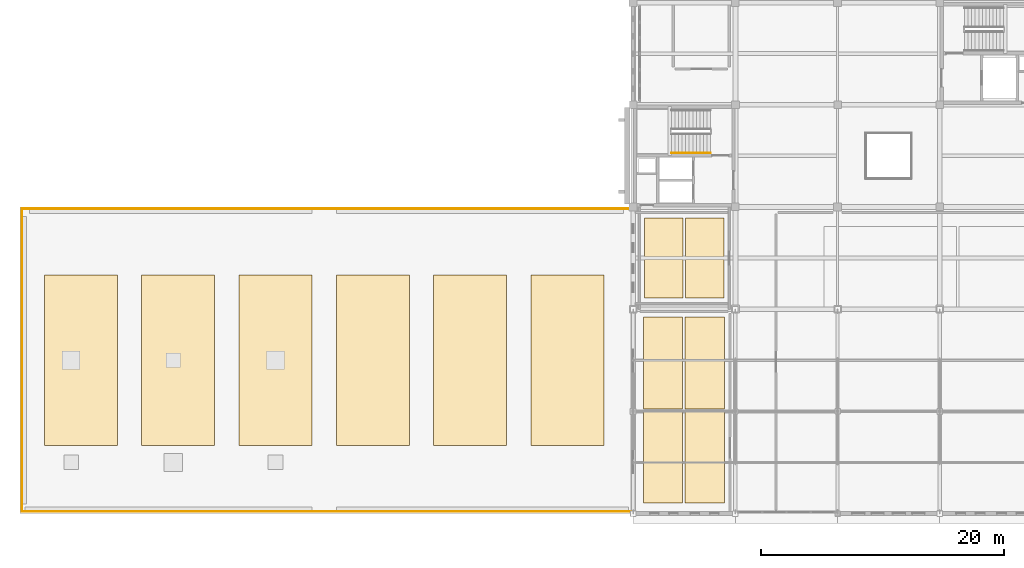
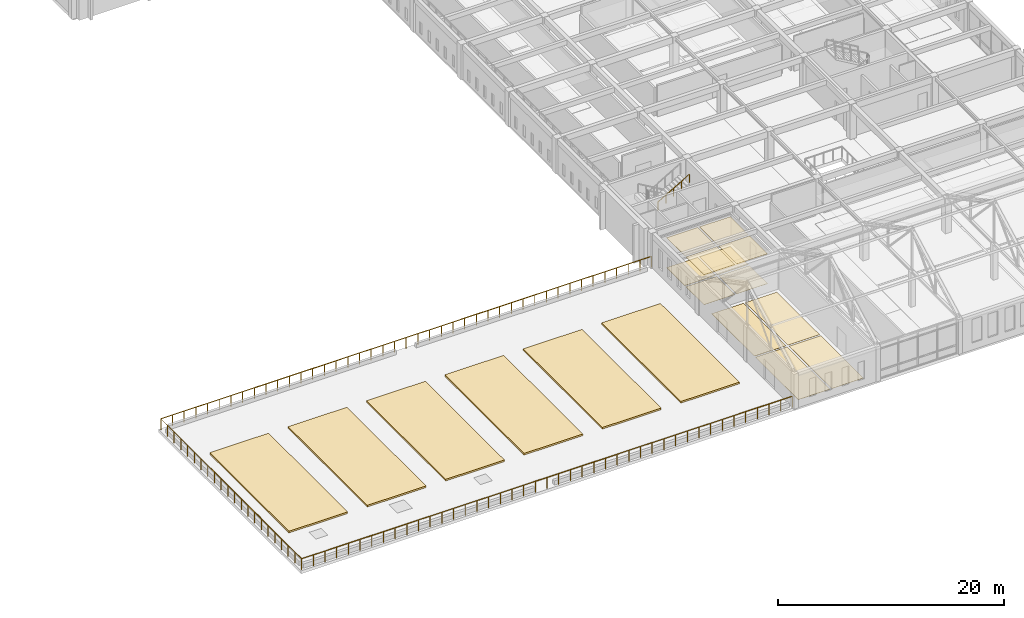
# One storey, part 41 of 47: 18 coverings, 6 railings.
"""IFC4 building model written with IfcOpenShell, lengths in metres."""

from ifc_helpers import new_model, si_unit, direction, frame, origin, origin_2d, place, context, subcontext, project, spatial, rectangle, circle, extrude, material, layer, layer_set, type_object, element, save


model = new_model("IFC4")

# Units and contexts
model_context = context("Model", 3, precision=1e-05, world=origin(), true_north=direction((0.0, 1.0)))
body_context = subcontext(model_context, "Body", "Model", "MODEL_VIEW")
ifc_project = project(units=[si_unit("LENGTHUNIT", "METRE"), si_unit("AREAUNIT", "SQUARE_METRE"), si_unit("VOLUMEUNIT", "CUBIC_METRE"), si_unit("PLANEANGLEUNIT", "RADIAN"), si_unit("MASSUNIT", "GRAM", prefix="KILO")], contexts=[model_context])

# Site, building, storey
site_placement = place(None, origin())
site = spatial("IfcSite", under=ifc_project, at=site_placement, CompositionType="ELEMENT")
building_placement = place(site_placement, origin())
building = spatial("IfcBuilding", under=site, at=building_placement, Name="Kveldsbrygga Polytechnic", CompositionType="ELEMENT")
storey_placement = place(building_placement, frame((0.0, 0.0, 13.93994140625)))
storey = spatial("IfcBuildingStorey", under=building, at=storey_placement, Name="L03", CompositionType="ELEMENT", Elevation=13.93994140625)

# Railings
ifc_material_1 = material(Name="Iddefjord granite ashlar", Category="masonry")
railing_type_1 = type_object("IfcRailingType", Name="BAL-TERRACE-120", PredefinedType="BALUSTRADE", material=ifc_material_1)
railing_1_placement = place(storey_placement, frame((75.75, 0.14990234375, 0.0)))
element("IfcRailing", 1, at=railing_1_placement, inside=storey, type_object=railing_type_1, Name="Public Terrace Balustrade BAL-L03-S1", PredefinedType="BALUSTRADE", context=body_context, shape_type="SweptSolid", body=[
    extrude(circle(Radius=0.02392578125, at=origin_2d()), frame((0.0, 0.0, 1.17578125), z_axis=(1.0, 0.0, 0.0), x_axis=(0.0, 1.0, 0.0)), (0.0, 0.0, 1.0), 25.050048828125),
    extrude(circle(Radius=0.02099609375, at=origin_2d()), origin(), (0.0, 0.0, 1.0), 1.14794921875),
    extrude(circle(Radius=0.02099609375, at=origin_2d()), frame((1.19287109375, 0.0, 0.0)), (0.0, 0.0, 1.0), 1.14794921875),
    extrude(circle(Radius=0.02099609375, at=origin_2d()), frame((2.3857421875, 0.0, 0.0)), (0.0, 0.0, 1.0), 1.14794921875),
    extrude(circle(Radius=0.02099609375, at=origin_2d()), frame((3.57861328125, 0.0, 0.0)), (0.0, 0.0, 1.0), 1.14794921875),
    extrude(circle(Radius=0.02099609375, at=origin_2d()), frame((4.771484375, 0.0, 0.0)), (0.0, 0.0, 1.0), 1.14794921875),
    extrude(circle(Radius=0.02099609375, at=origin_2d()), frame((5.96435546875, 0.0, 0.0)), (0.0, 0.0, 1.0), 1.14794921875),
    extrude(circle(Radius=0.02099609375, at=origin_2d()), frame((7.1572265625, 0.0, 0.0)), (0.0, 0.0, 1.0), 1.14794921875),
    extrude(circle(Radius=0.02099609375, at=origin_2d()), frame((8.35009765625, 0.0, 0.0)), (0.0, 0.0, 1.0), 1.14794921875),
    extrude(circle(Radius=0.02099609375, at=origin_2d()), frame((9.54296875, 0.0, 0.0)), (0.0, 0.0, 1.0), 1.14794921875),
    extrude(circle(Radius=0.02099609375, at=origin_2d()), frame((10.73583984375, 0.0, 0.0)), (0.0, 0.0, 1.0), 1.14794921875),
    extrude(circle(Radius=0.02099609375, at=origin_2d()), frame((11.9287109375, 0.0, 0.0)), (0.0, 0.0, 1.0), 1.14794921875),
    extrude(circle(Radius=0.02099609375, at=origin_2d()), frame((13.121337890625, 0.0, 0.0)), (0.0, 0.0, 1.0), 1.14794921875),
    extrude(circle(Radius=0.02099609375, at=origin_2d()), frame((14.314208984375, 0.0, 0.0)), (0.0, 0.0, 1.0), 1.14794921875),
    extrude(circle(Radius=0.02099609375, at=origin_2d()), frame((15.507080078125, 0.0, 0.0)), (0.0, 0.0, 1.0), 1.14794921875),
    extrude(circle(Radius=0.02099609375, at=origin_2d()), frame((16.699951171875, 0.0, 0.0)), (0.0, 0.0, 1.0), 1.14794921875),
    extrude(circle(Radius=0.02099609375, at=origin_2d()), frame((17.892822265625, 0.0, 0.0)), (0.0, 0.0, 1.0), 1.14794921875),
    extrude(circle(Radius=0.02099609375, at=origin_2d()), frame((19.085693359375, 0.0, 0.0)), (0.0, 0.0, 1.0), 1.14794921875),
    extrude(circle(Radius=0.02099609375, at=origin_2d()), frame((20.278564453125, 0.0, 0.0)), (0.0, 0.0, 1.0), 1.14794921875),
    extrude(circle(Radius=0.02099609375, at=origin_2d()), frame((21.471435546875, 0.0, 0.0)), (0.0, 0.0, 1.0), 1.14794921875),
    extrude(circle(Radius=0.02099609375, at=origin_2d()), frame((22.664306640625, 0.0, 0.0)), (0.0, 0.0, 1.0), 1.14794921875),
    extrude(circle(Radius=0.02099609375, at=origin_2d()), frame((23.857177734375, 0.0, 0.0)), (0.0, 0.0, 1.0), 1.14794921875),
    extrude(circle(Radius=0.02099609375, at=origin_2d()), frame((25.050048828125, 0.0, 0.0)), (0.0, 0.0, 1.0), 1.14794921875),
])
railing_2_placement = place(storey_placement, frame((100.800048828125, 0.14990234375, 0.0)))
element("IfcRailing", 2, at=railing_2_placement, inside=storey, type_object=railing_type_1, Name="Public Terrace Balustrade BAL-L03-S2", PredefinedType="BALUSTRADE", context=body_context, shape_type="SweptSolid", body=[
    extrude(circle(Radius=0.02392578125, at=origin_2d()), frame((0.0, 0.0, 1.17578125), z_axis=(1.0, 0.0, 0.0), x_axis=(0.0, 1.0, 0.0)), (0.0, 0.0, 1.0), 25.050048828125),
    extrude(circle(Radius=0.02099609375, at=origin_2d()), origin(), (0.0, 0.0, 1.0), 1.14794921875),
    extrude(circle(Radius=0.02099609375, at=origin_2d()), frame((1.19287109375, 0.0, 0.0)), (0.0, 0.0, 1.0), 1.14794921875),
    extrude(circle(Radius=0.02099609375, at=origin_2d()), frame((2.3857421875, 0.0, 0.0)), (0.0, 0.0, 1.0), 1.14794921875),
    extrude(circle(Radius=0.02099609375, at=origin_2d()), frame((3.57861328125, 0.0, 0.0)), (0.0, 0.0, 1.0), 1.14794921875),
    extrude(circle(Radius=0.02099609375, at=origin_2d()), frame((4.771484375, 0.0, 0.0)), (0.0, 0.0, 1.0), 1.14794921875),
    extrude(circle(Radius=0.02099609375, at=origin_2d()), frame((5.96435546875, 0.0, 0.0)), (0.0, 0.0, 1.0), 1.14794921875),
    extrude(circle(Radius=0.02099609375, at=origin_2d()), frame((7.1572265625, 0.0, 0.0)), (0.0, 0.0, 1.0), 1.14794921875),
    extrude(circle(Radius=0.02099609375, at=origin_2d()), frame((8.35009765625, 0.0, 0.0)), (0.0, 0.0, 1.0), 1.14794921875),
    extrude(circle(Radius=0.02099609375, at=origin_2d()), frame((9.54296875, 0.0, 0.0)), (0.0, 0.0, 1.0), 1.14794921875),
    extrude(circle(Radius=0.02099609375, at=origin_2d()), frame((10.73583984375, 0.0, 0.0)), (0.0, 0.0, 1.0), 1.14794921875),
    extrude(circle(Radius=0.02099609375, at=origin_2d()), frame((11.9287109375, 0.0, 0.0)), (0.0, 0.0, 1.0), 1.14794921875),
    extrude(circle(Radius=0.02099609375, at=origin_2d()), frame((13.121337890625, 0.0, 0.0)), (0.0, 0.0, 1.0), 1.14794921875),
    extrude(circle(Radius=0.02099609375, at=origin_2d()), frame((14.314208984375, 0.0, 0.0)), (0.0, 0.0, 1.0), 1.14794921875),
    extrude(circle(Radius=0.02099609375, at=origin_2d()), frame((15.507080078125, 0.0, 0.0)), (0.0, 0.0, 1.0), 1.14794921875),
    extrude(circle(Radius=0.02099609375, at=origin_2d()), frame((16.699951171875, 0.0, 0.0)), (0.0, 0.0, 1.0), 1.14794921875),
    extrude(circle(Radius=0.02099609375, at=origin_2d()), frame((17.892822265625, 0.0, 0.0)), (0.0, 0.0, 1.0), 1.14794921875),
    extrude(circle(Radius=0.02099609375, at=origin_2d()), frame((19.085693359375, 0.0, 0.0)), (0.0, 0.0, 1.0), 1.14794921875),
    extrude(circle(Radius=0.02099609375, at=origin_2d()), frame((20.278564453125, 0.0, 0.0)), (0.0, 0.0, 1.0), 1.14794921875),
    extrude(circle(Radius=0.02099609375, at=origin_2d()), frame((21.471435546875, 0.0, 0.0)), (0.0, 0.0, 1.0), 1.14794921875),
    extrude(circle(Radius=0.02099609375, at=origin_2d()), frame((22.664306640625, 0.0, 0.0)), (0.0, 0.0, 1.0), 1.14794921875),
    extrude(circle(Radius=0.02099609375, at=origin_2d()), frame((23.857177734375, 0.0, 0.0)), (0.0, 0.0, 1.0), 1.14794921875),
    extrude(circle(Radius=0.02099609375, at=origin_2d()), frame((25.050048828125, 0.0, 0.0)), (0.0, 0.0, 1.0), 1.14794921875),
])
railing_3_placement = place(storey_placement, frame((75.75, 0.14990234375, 0.0)))
element("IfcRailing", 3, at=railing_3_placement, inside=storey, type_object=railing_type_1, Name="Public Terrace Balustrade BAL-L03-W1", PredefinedType="BALUSTRADE", context=body_context, shape_type="SweptSolid", body=[
    extrude(circle(Radius=0.02392578125, at=origin_2d()), frame((0.0, 0.0, 1.17578125), z_axis=(0.0, 1.0, 0.0), x_axis=(-1.0, 0.0, 0.0)), (0.0, 0.0, 1.0), 24.900146484375),
    extrude(circle(Radius=0.02099609375, at=origin_2d()), origin(), (0.0, 0.0, 1.0), 1.14794921875),
    extrude(circle(Radius=0.02099609375, at=origin_2d()), frame((0.0, 1.185791015625, 0.0)), (0.0, 0.0, 1.0), 1.14794921875),
    extrude(circle(Radius=0.02099609375, at=origin_2d()), frame((0.0, 2.371337890625, 0.0)), (0.0, 0.0, 1.0), 1.14794921875),
    extrude(circle(Radius=0.02099609375, at=origin_2d()), frame((0.0, 3.55712890625, 0.0)), (0.0, 0.0, 1.0), 1.14794921875),
    extrude(circle(Radius=0.02099609375, at=origin_2d()), frame((0.0, 4.742919921875, 0.0)), (0.0, 0.0, 1.0), 1.14794921875),
    extrude(circle(Radius=0.02099609375, at=origin_2d()), frame((0.0, 5.9287109375, 0.0)), (0.0, 0.0, 1.0), 1.14794921875),
    extrude(circle(Radius=0.02099609375, at=origin_2d()), frame((0.0, 7.1142578125, 0.0)), (0.0, 0.0, 1.0), 1.14794921875),
    extrude(circle(Radius=0.02099609375, at=origin_2d()), frame((0.0, 8.300048828125, 0.0)), (0.0, 0.0, 1.0), 1.14794921875),
    extrude(circle(Radius=0.02099609375, at=origin_2d()), frame((0.0, 9.48583984375, 0.0)), (0.0, 0.0, 1.0), 1.14794921875),
    extrude(circle(Radius=0.02099609375, at=origin_2d()), frame((0.0, 10.67138671875, 0.0)), (0.0, 0.0, 1.0), 1.14794921875),
    extrude(circle(Radius=0.02099609375, at=origin_2d()), frame((0.0, 11.857177734375, 0.0)), (0.0, 0.0, 1.0), 1.14794921875),
    extrude(circle(Radius=0.02099609375, at=origin_2d()), frame((0.0, 13.04296875, 0.0)), (0.0, 0.0, 1.0), 1.14794921875),
    extrude(circle(Radius=0.02099609375, at=origin_2d()), frame((0.0, 14.228759765625, 0.0)), (0.0, 0.0, 1.0), 1.14794921875),
    extrude(circle(Radius=0.02099609375, at=origin_2d()), frame((0.0, 15.414306640625, 0.0)), (0.0, 0.0, 1.0), 1.14794921875),
    extrude(circle(Radius=0.02099609375, at=origin_2d()), frame((0.0, 16.60009765625, 0.0)), (0.0, 0.0, 1.0), 1.14794921875),
    extrude(circle(Radius=0.02099609375, at=origin_2d()), frame((0.0, 17.785888671875, 0.0)), (0.0, 0.0, 1.0), 1.14794921875),
    extrude(circle(Radius=0.02099609375, at=origin_2d()), frame((0.0, 18.971435546875, 0.0)), (0.0, 0.0, 1.0), 1.14794921875),
    extrude(circle(Radius=0.02099609375, at=origin_2d()), frame((0.0, 20.1572265625, 0.0)), (0.0, 0.0, 1.0), 1.14794921875),
    extrude(circle(Radius=0.02099609375, at=origin_2d()), frame((0.0, 21.343017578125, 0.0)), (0.0, 0.0, 1.0), 1.14794921875),
    extrude(circle(Radius=0.02099609375, at=origin_2d()), frame((0.0, 22.52880859375, 0.0)), (0.0, 0.0, 1.0), 1.14794921875),
    extrude(circle(Radius=0.02099609375, at=origin_2d()), frame((0.0, 23.71435546875, 0.0)), (0.0, 0.0, 1.0), 1.14794921875),
    extrude(circle(Radius=0.02099609375, at=origin_2d()), frame((0.0, 24.900146484375, 0.0)), (0.0, 0.0, 1.0), 1.14794921875),
])
railing_4_placement = place(storey_placement, frame((75.75, 25.050048828125, 0.0)))
element("IfcRailing", 4, at=railing_4_placement, inside=storey, type_object=railing_type_1, Name="Public Terrace Balustrade BAL-L03-N1", PredefinedType="BALUSTRADE", context=body_context, shape_type="SweptSolid", body=[
    extrude(circle(Radius=0.02392578125, at=origin_2d()), frame((0.0, 0.0, 1.17578125), z_axis=(1.0, 0.0, 0.0), x_axis=(0.0, 1.0, 0.0)), (0.0, 0.0, 1.0), 25.050048828125),
    extrude(circle(Radius=0.02099609375, at=origin_2d()), origin(), (0.0, 0.0, 1.0), 1.14794921875),
    extrude(circle(Radius=0.02099609375, at=origin_2d()), frame((1.19287109375, 0.0, 0.0)), (0.0, 0.0, 1.0), 1.14794921875),
    extrude(circle(Radius=0.02099609375, at=origin_2d()), frame((2.3857421875, 0.0, 0.0)), (0.0, 0.0, 1.0), 1.14794921875),
    extrude(circle(Radius=0.02099609375, at=origin_2d()), frame((3.57861328125, 0.0, 0.0)), (0.0, 0.0, 1.0), 1.14794921875),
    extrude(circle(Radius=0.02099609375, at=origin_2d()), frame((4.771484375, 0.0, 0.0)), (0.0, 0.0, 1.0), 1.14794921875),
    extrude(circle(Radius=0.02099609375, at=origin_2d()), frame((5.96435546875, 0.0, 0.0)), (0.0, 0.0, 1.0), 1.14794921875),
    extrude(circle(Radius=0.02099609375, at=origin_2d()), frame((7.1572265625, 0.0, 0.0)), (0.0, 0.0, 1.0), 1.14794921875),
    extrude(circle(Radius=0.02099609375, at=origin_2d()), frame((8.35009765625, 0.0, 0.0)), (0.0, 0.0, 1.0), 1.14794921875),
    extrude(circle(Radius=0.02099609375, at=origin_2d()), frame((9.54296875, 0.0, 0.0)), (0.0, 0.0, 1.0), 1.14794921875),
    extrude(circle(Radius=0.02099609375, at=origin_2d()), frame((10.73583984375, 0.0, 0.0)), (0.0, 0.0, 1.0), 1.14794921875),
    extrude(circle(Radius=0.02099609375, at=origin_2d()), frame((11.9287109375, 0.0, 0.0)), (0.0, 0.0, 1.0), 1.14794921875),
    extrude(circle(Radius=0.02099609375, at=origin_2d()), frame((13.121337890625, 0.0, 0.0)), (0.0, 0.0, 1.0), 1.14794921875),
    extrude(circle(Radius=0.02099609375, at=origin_2d()), frame((14.314208984375, 0.0, 0.0)), (0.0, 0.0, 1.0), 1.14794921875),
    extrude(circle(Radius=0.02099609375, at=origin_2d()), frame((15.507080078125, 0.0, 0.0)), (0.0, 0.0, 1.0), 1.14794921875),
    extrude(circle(Radius=0.02099609375, at=origin_2d()), frame((16.699951171875, 0.0, 0.0)), (0.0, 0.0, 1.0), 1.14794921875),
    extrude(circle(Radius=0.02099609375, at=origin_2d()), frame((17.892822265625, 0.0, 0.0)), (0.0, 0.0, 1.0), 1.14794921875),
    extrude(circle(Radius=0.02099609375, at=origin_2d()), frame((19.085693359375, 0.0, 0.0)), (0.0, 0.0, 1.0), 1.14794921875),
    extrude(circle(Radius=0.02099609375, at=origin_2d()), frame((20.278564453125, 0.0, 0.0)), (0.0, 0.0, 1.0), 1.14794921875),
    extrude(circle(Radius=0.02099609375, at=origin_2d()), frame((21.471435546875, 0.0, 0.0)), (0.0, 0.0, 1.0), 1.14794921875),
    extrude(circle(Radius=0.02099609375, at=origin_2d()), frame((22.664306640625, 0.0, 0.0)), (0.0, 0.0, 1.0), 1.14794921875),
    extrude(circle(Radius=0.02099609375, at=origin_2d()), frame((23.857177734375, 0.0, 0.0)), (0.0, 0.0, 1.0), 1.14794921875),
    extrude(circle(Radius=0.02099609375, at=origin_2d()), frame((25.050048828125, 0.0, 0.0)), (0.0, 0.0, 1.0), 1.14794921875),
])
railing_5_placement = place(storey_placement, frame((100.800048828125, 25.050048828125, 0.0)))
element("IfcRailing", 5, at=railing_5_placement, inside=storey, type_object=railing_type_1, Name="Public Terrace Balustrade BAL-L03-N2", PredefinedType="BALUSTRADE", context=body_context, shape_type="SweptSolid", body=[
    extrude(circle(Radius=0.02392578125, at=origin_2d()), frame((0.0, 0.0, 1.17578125), z_axis=(1.0, 0.0, 0.0), x_axis=(0.0, 1.0, 0.0)), (0.0, 0.0, 1.0), 25.050048828125),
    extrude(circle(Radius=0.02099609375, at=origin_2d()), origin(), (0.0, 0.0, 1.0), 1.14794921875),
    extrude(circle(Radius=0.02099609375, at=origin_2d()), frame((1.19287109375, 0.0, 0.0)), (0.0, 0.0, 1.0), 1.14794921875),
    extrude(circle(Radius=0.02099609375, at=origin_2d()), frame((2.3857421875, 0.0, 0.0)), (0.0, 0.0, 1.0), 1.14794921875),
    extrude(circle(Radius=0.02099609375, at=origin_2d()), frame((3.57861328125, 0.0, 0.0)), (0.0, 0.0, 1.0), 1.14794921875),
    extrude(circle(Radius=0.02099609375, at=origin_2d()), frame((4.771484375, 0.0, 0.0)), (0.0, 0.0, 1.0), 1.14794921875),
    extrude(circle(Radius=0.02099609375, at=origin_2d()), frame((5.96435546875, 0.0, 0.0)), (0.0, 0.0, 1.0), 1.14794921875),
    extrude(circle(Radius=0.02099609375, at=origin_2d()), frame((7.1572265625, 0.0, 0.0)), (0.0, 0.0, 1.0), 1.14794921875),
    extrude(circle(Radius=0.02099609375, at=origin_2d()), frame((8.35009765625, 0.0, 0.0)), (0.0, 0.0, 1.0), 1.14794921875),
    extrude(circle(Radius=0.02099609375, at=origin_2d()), frame((9.54296875, 0.0, 0.0)), (0.0, 0.0, 1.0), 1.14794921875),
    extrude(circle(Radius=0.02099609375, at=origin_2d()), frame((10.73583984375, 0.0, 0.0)), (0.0, 0.0, 1.0), 1.14794921875),
    extrude(circle(Radius=0.02099609375, at=origin_2d()), frame((11.9287109375, 0.0, 0.0)), (0.0, 0.0, 1.0), 1.14794921875),
    extrude(circle(Radius=0.02099609375, at=origin_2d()), frame((13.121337890625, 0.0, 0.0)), (0.0, 0.0, 1.0), 1.14794921875),
    extrude(circle(Radius=0.02099609375, at=origin_2d()), frame((14.314208984375, 0.0, 0.0)), (0.0, 0.0, 1.0), 1.14794921875),
    extrude(circle(Radius=0.02099609375, at=origin_2d()), frame((15.507080078125, 0.0, 0.0)), (0.0, 0.0, 1.0), 1.14794921875),
    extrude(circle(Radius=0.02099609375, at=origin_2d()), frame((16.699951171875, 0.0, 0.0)), (0.0, 0.0, 1.0), 1.14794921875),
    extrude(circle(Radius=0.02099609375, at=origin_2d()), frame((17.892822265625, 0.0, 0.0)), (0.0, 0.0, 1.0), 1.14794921875),
    extrude(circle(Radius=0.02099609375, at=origin_2d()), frame((19.085693359375, 0.0, 0.0)), (0.0, 0.0, 1.0), 1.14794921875),
    extrude(circle(Radius=0.02099609375, at=origin_2d()), frame((20.278564453125, 0.0, 0.0)), (0.0, 0.0, 1.0), 1.14794921875),
    extrude(circle(Radius=0.02099609375, at=origin_2d()), frame((21.471435546875, 0.0, 0.0)), (0.0, 0.0, 1.0), 1.14794921875),
    extrude(circle(Radius=0.02099609375, at=origin_2d()), frame((22.664306640625, 0.0, 0.0)), (0.0, 0.0, 1.0), 1.14794921875),
    extrude(circle(Radius=0.02099609375, at=origin_2d()), frame((23.857177734375, 0.0, 0.0)), (0.0, 0.0, 1.0), 1.14794921875),
    extrude(circle(Radius=0.02099609375, at=origin_2d()), frame((25.050048828125, 0.0, 0.0)), (0.0, 0.0, 1.0), 1.14794921875),
])

# Coverings
ifc_material_2 = material(Name="Acoustic mineral baffle ceiling")
ifc_layer_1 = layer(ifc_material_2, 0.030029296875)
ifc_layer_set_1 = layer_set([ifc_layer_1], Name="Acoustic mineral baffle ceiling")
covering_type_1 = type_object("IfcCoveringType", Name="COV-CEIL-AC30", PredefinedType="CEILING", material=ifc_layer_set_1)
for number, where, z_axis, x_axis, name in (
    (6, (128.52490234375, 19.300048828125, 3.22021484375), (0.0, 0.0, 1.0), (1.0, 0.0, 0.0), "Acoustic Ceiling SP-L03-SEM32-WS"),
    (7, (128.52490234375, 22.699951171875, 3.22021484375), (0.0, 0.0, 1.0), (1.0, 0.0, 0.0), "Acoustic Ceiling SP-L03-SEM32-WN"),
    (8, (131.875, 19.300048828125, 3.22021484375), (0.0, 0.0, 1.0), (1.0, 0.0, 0.0), "Acoustic Ceiling SP-L03-SEM32-ES"),
    (9, (131.875, 22.699951171875, 3.22021484375), (0.0, 0.0, 1.0), (1.0, 0.0, 0.0), "Acoustic Ceiling SP-L03-SEM32-EN"),
):
    element("IfcCovering", number, at=place(storey_placement, frame(where, z_axis=z_axis, x_axis=x_axis)), inside=storey, type_object=covering_type_1, Name=name, PredefinedType="CEILING", context=body_context, shape_type="SweptSolid", body=[
        extrude(rectangle(XDim=3.14990234375, YDim=3.199951171875, at=origin_2d()), origin(), (0.0, 0.0, 1.0), 0.030029296875),
    ])
ifc_material_3 = material(Name="Acoustic oak timber flooring", Category="wood")
ifc_layer_2 = layer(ifc_material_3, 0.02197265625)
ifc_layer_set_2 = layer_set([ifc_layer_2], Name="Acoustic oak timber flooring")
covering_type_2 = type_object("IfcCoveringType", Name="COV-FLR-OAK22", PredefinedType="FLOORING", material=ifc_layer_set_2)
for number, where, z_axis, x_axis, name in (
    (10, (128.46240234375, 4.625, 0.0), (0.0, 0.0, 1.0), (1.0, 0.0, 0.0), "Room Flooring SP-L03-LIB1-WS"),
    (11, (128.46240234375, 12.375, 0.0), (0.0, 0.0, 1.0), (1.0, 0.0, 0.0), "Room Flooring SP-L03-LIB1-WN"),
    (12, (131.887451171875, 4.625, 0.0), (0.0, 0.0, 1.0), (1.0, 0.0, 0.0), "Room Flooring SP-L03-LIB1-ES"),
    (13, (131.887451171875, 12.375, 0.0), (0.0, 0.0, 1.0), (1.0, 0.0, 0.0), "Room Flooring SP-L03-LIB1-EN"),
):
    element("IfcCovering", number, at=place(storey_placement, frame(where, z_axis=z_axis, x_axis=x_axis)), inside=storey, type_object=covering_type_2, Name=name, PredefinedType="FLOORING", context=body_context, shape_type="SweptSolid", body=[
        extrude(rectangle(XDim=3.22509765625, YDim=7.550048828125, at=origin_2d()), origin(), (0.0, 0.0, 1.0), 0.02197265625),
    ])
for number, where, z_axis, x_axis, name in (
    (14, (128.52490234375, 19.300048828125, 0.0), (0.0, 0.0, 1.0), (1.0, 0.0, 0.0), "Room Flooring SP-L03-SEM32-WS"),
    (15, (128.52490234375, 22.699951171875, 0.0), (0.0, 0.0, 1.0), (1.0, 0.0, 0.0), "Room Flooring SP-L03-SEM32-WN"),
    (16, (131.875, 19.300048828125, 0.0), (0.0, 0.0, 1.0), (1.0, 0.0, 0.0), "Room Flooring SP-L03-SEM32-ES"),
    (17, (131.875, 22.699951171875, 0.0), (0.0, 0.0, 1.0), (1.0, 0.0, 0.0), "Room Flooring SP-L03-SEM32-EN"),
):
    element("IfcCovering", number, at=place(storey_placement, frame(where, z_axis=z_axis, x_axis=x_axis)), inside=storey, type_object=covering_type_2, Name=name, PredefinedType="FLOORING", context=body_context, shape_type="SweptSolid", body=[
        extrude(rectangle(XDim=3.14990234375, YDim=3.199951171875, at=origin_2d()), origin(), (0.0, 0.0, 1.0), 0.02197265625),
    ])
ifc_material_4 = material(Name="Vegetated roof substrate", Category="concrete")
ifc_layer_3 = layer(ifc_material_4, 0.179931640625)
ifc_layer_set_3 = layer_set([ifc_layer_3], Name="Vegetated roof substrate")
covering_type_3 = type_object("IfcCoveringType", Name="RFG-GREEN-450", PredefinedType="ROOFING", material=ifc_layer_set_3)
for number, where, z_axis, x_axis, name in (
    (18, (80.60009765625, 12.60009765625, 0.0), (0.0, 0.0, 1.0), (1.0, 0.0, 0.0), "Vegetated Roof Garden Bed 1"),
    (19, (88.60009765625, 12.60009765625, 0.0), (0.0, 0.0, 1.0), (1.0, 0.0, 0.0), "Vegetated Roof Garden Bed 2"),
    (20, (96.60009765625, 12.60009765625, 0.0), (0.0, 0.0, 1.0), (1.0, 0.0, 0.0), "Vegetated Roof Garden Bed 3"),
    (21, (104.60009765625, 12.60009765625, 0.0), (0.0, 0.0, 1.0), (1.0, 0.0, 0.0), "Vegetated Roof Garden Bed 4"),
    (22, (112.60009765625, 12.60009765625, 0.0), (0.0, 0.0, 1.0), (1.0, 0.0, 0.0), "Vegetated Roof Garden Bed 5"),
    (23, (120.60009765625, 12.60009765625, 0.0), (0.0, 0.0, 1.0), (1.0, 0.0, 0.0), "Vegetated Roof Garden Bed 6"),
):
    element("IfcCovering", number, at=place(storey_placement, frame(where, z_axis=z_axis, x_axis=x_axis)), inside=storey, type_object=covering_type_3, Name=name, PredefinedType="ROOFING", context=body_context, shape_type="SweptSolid", body=[
        extrude(rectangle(XDim=6.0, YDim=14.0, at=origin_2d()), origin(), (0.0, 0.0, 1.0), 0.179931640625),
    ])

# Railing
ifc_material_5 = material(Name="Steel S355", Category="steel")
railing_type_2 = type_object("IfcRailingType", Name="RL-STAIR-HND", PredefinedType="HANDRAIL", material=ifc_material_5)
railing_6_placement = place(storey_placement, frame((129.159912109375, 29.64990234375, 2.2099609375)))
element("IfcRailing", 24, at=railing_6_placement, inside=storey, type_object=railing_type_2, Name="L03 ST-1 stair handrail 2", PredefinedType="HANDRAIL", context=body_context, shape_type="SweptSolid", body=[
    extrude(circle(Radius=0.02392578125, at=origin_2d()), frame((0.0, 0.0, 0.8759765625), z_axis=(0.862696976859, 0.0, 0.505721194057), x_axis=(0.0, 1.0, 0.0)), (0.0, 0.0, 1.0), 3.697998046875),
    extrude(circle(Radius=0.02099609375, at=origin_2d()), origin(), (0.0, 0.0, 1.0), 0.847900390625),
    extrude(circle(Radius=0.02099609375, at=origin_2d()), frame((0.797607421875, 0.0, 0.467529296875)), (0.0, 0.0, 1.0), 0.847900390625),
    extrude(circle(Radius=0.02099609375, at=origin_2d()), frame((1.59521484375, 0.0, 0.93505859375)), (0.0, 0.0, 1.0), 0.847900390625),
    extrude(circle(Radius=0.02099609375, at=origin_2d()), frame((2.392578125, 0.0, 1.402587890625)), (0.0, 0.0, 1.0), 0.847900390625),
    extrude(circle(Radius=0.02099609375, at=origin_2d()), frame((3.190185546875, 0.0, 1.8701171875)), (0.0, 0.0, 1.0), 0.847900390625),
])

save(model, "model.ifc")
